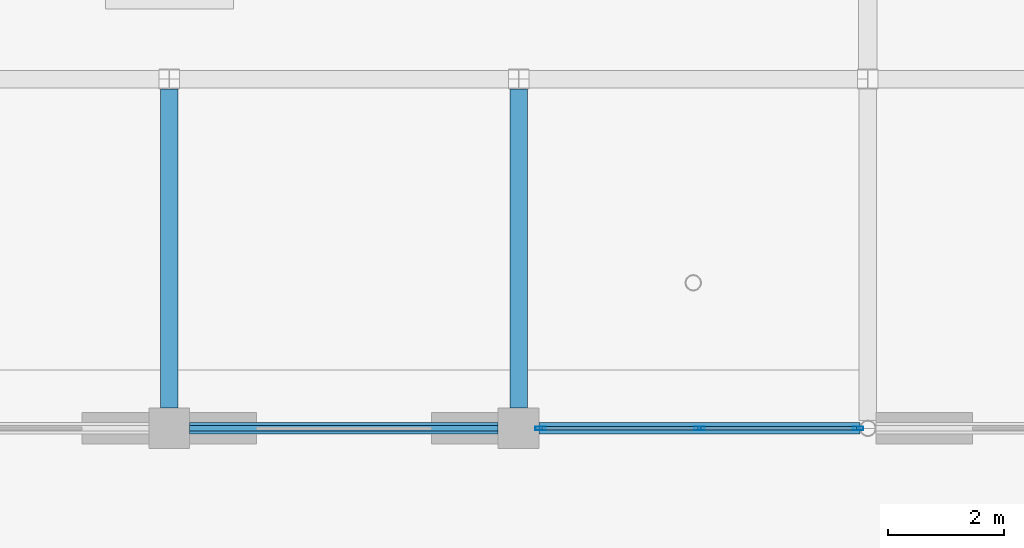
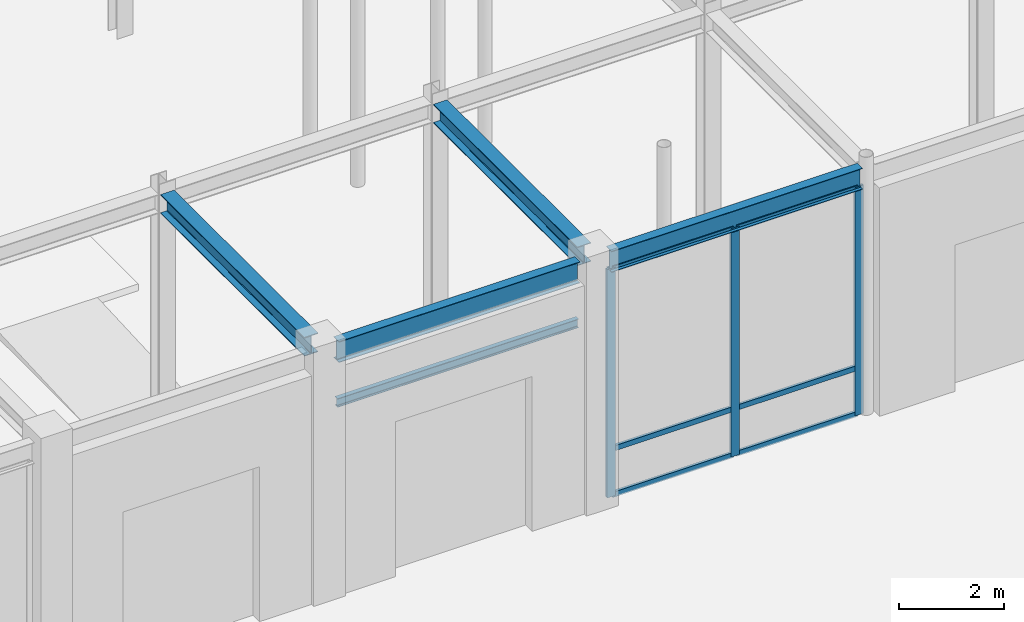
# One storey, part 31 of 51: 9 members, 5 beams, 1 element without a shape of its own.
"""IFC4 building model written with IfcOpenShell, lengths in metres."""

from ifc_helpers import new_model, si_unit, direction, frame, origin, origin_2d, place, context, subcontext, project, spatial, hollow_rectangle, i_section, extrude, material, layer, layer_set, material_profile, profile_set, type_object, element, aggregate, save


model = new_model("IFC4")

# Units and contexts
model_context = context("Model", 3, precision=1e-05, world=origin(), true_north=direction((0.0, 1.0)))
body_context = subcontext(model_context, "Body", "Model", "MODEL_VIEW")
ifc_project = project(units=[si_unit("LENGTHUNIT", "METRE"), si_unit("AREAUNIT", "SQUARE_METRE"), si_unit("VOLUMEUNIT", "CUBIC_METRE"), si_unit("PLANEANGLEUNIT", "RADIAN"), si_unit("MASSUNIT", "GRAM", prefix="KILO")], contexts=[model_context])

# Site, building, storey
site_placement = place(None, origin())
site = spatial("IfcSite", under=ifc_project, at=site_placement, CompositionType="ELEMENT")
building_placement = place(site_placement, origin())
building = spatial("IfcBuilding", under=site, at=building_placement, Name="Zlatovratsky Civic Hall", CompositionType="ELEMENT")
storey_placement = place(building_placement, origin())
storey = spatial("IfcBuildingStorey", under=building, at=storey_placement, Name="L01", CompositionType="ELEMENT", Elevation=0.0)

# Beams
ifc_material_1 = material(Name="Steel S355", Category="steel")
ifc_material_profile_1 = material_profile(ifc_material_1, i_section(OverallWidth=0.198974609375, OverallDepth=0.491943359375, WebThickness=0.0087890625, FlangeThickness=0.011962890625, FilletRadius=0.01611328125, at=origin_2d()), Name="50B1")
ifc_profile_set_1 = profile_set([ifc_material_profile_1], Name="Steel S355")
beam_type_1 = type_object("IfcBeamType", Name="Beam_Spandrel_50B1", PredefinedType="SPANDREL", material=ifc_profile_set_1)
beam_1_placement = place(storey_placement, frame((84.35009765625, 12.0, 5.513916015625), z_axis=(1.0, 0.0, 0.0), x_axis=(0.0, 1.0, 0.0)))
element("IfcBeam", 1, at=beam_1_placement, inside=storey, type_object=beam_type_1, Name="BM-0892", PredefinedType="SPANDREL", context=body_context, shape_type="SweptSolid", body=[
    extrude(i_section(OverallWidth=0.198974609375, OverallDepth=0.491943359375, WebThickness=0.0087890625, FlangeThickness=0.011962890625, FilletRadius=0.01611328125, at=origin_2d()), origin(), (0.0, 0.0, 1.0), 5.2998046875),
])
beam_2_placement = place(storey_placement, frame((90.35009765625, 12.0, 5.513916015625), z_axis=(1.0, 0.0, 0.0), x_axis=(0.0, 1.0, 0.0)))
element("IfcBeam", 2, at=beam_2_placement, inside=storey, type_object=beam_type_1, Name="BM-0893", PredefinedType="SPANDREL", context=body_context, shape_type="SweptSolid", body=[
    extrude(i_section(OverallWidth=0.198974609375, OverallDepth=0.491943359375, WebThickness=0.0087890625, FlangeThickness=0.011962890625, FilletRadius=0.01611328125, at=origin_2d()), origin(), (0.0, 0.0, 1.0), 5.513427734375),
])
ifc_material_profile_2 = material_profile(ifc_material_1, i_section(OverallWidth=0.300048828125, OverallDepth=0.43994140625, WebThickness=0.010986328125, FlangeThickness=0.01806640625, FilletRadius=0.02197265625, at=origin_2d()), Name="45Sh1")
ifc_profile_set_2 = profile_set([ifc_material_profile_2], Name="Steel S355")
beam_type_2 = type_object("IfcBeamType", Name="Beam_TowerLow_45Sh1", PredefinedType="BEAM", material=ifc_profile_set_2)
for number, where, z_axis, x_axis, name in (
    (3, (84.0, 12.35009765625, 5.5400390625), (0.0, 1.0, 0.0), (-1.0, 0.0, 0.0), "BM-1428"),
    (4, (90.0, 12.35009765625, 5.5400390625), (0.0, 1.0, 0.0), (-1.0, 0.0, 0.0), "BM-1442"),
):
    element("IfcBeam", number, at=place(storey_placement, frame(where, z_axis=z_axis, x_axis=x_axis)), inside=storey, type_object=beam_type_2, Name=name, PredefinedType="BEAM", context=body_context, shape_type="SweptSolid", body=[
        extrude(i_section(OverallWidth=0.300048828125, OverallDepth=0.43994140625, WebThickness=0.010986328125, FlangeThickness=0.01806640625, FilletRadius=0.02197265625, at=origin_2d()), origin(), (0.0, 0.0, 1.0), 5.478515625),
    ])

# Curtain wall, members
ifc_material_2 = material(Name="Anodised bronze aluminium", Category="aluminium")
ifc_layer = layer(ifc_material_2, 0.159912109375)
ifc_layer_set = layer_set([ifc_layer], Name="Anodised bronze aluminium")
curtain_wall_type = type_object("IfcCurtainWallType", Name="CurtainWall_Bronze_5510x5310_01", PredefinedType="NOTDEFINED", material=ifc_layer_set)
curtain_wall_placement = place(storey_placement, origin())
curtain_wall = element("IfcCurtainWall", 5, at=curtain_wall_placement, inside=storey, type_object=curtain_wall_type, Name="CW-002", PredefinedType="NOTDEFINED")
ifc_material_profile_3 = material_profile(ifc_material_2, hollow_rectangle(XDim=0.06005859375, YDim=0.179931640625, WallThickness=0.00390625, at=origin_2d()), Name="ALU 60x180x4")
ifc_profile_set_3 = profile_set([ifc_material_profile_3], Name="Anodised bronze aluminium")
member_type_1 = type_object("IfcMemberType", Name="CW_Mullion_60x180", PredefinedType="MULLION", material=ifc_profile_set_3)
member_1_placement = place(storey_placement, frame((90.3798828125, 12.0, 0.0), z_axis=(0.0, 0.0, 1.0), x_axis=(0.0, 1.0, 0.0)))
member_1 = element("IfcMember", 6, at=member_1_placement, type_object=member_type_1, Name="CW-01 mullion 1", PredefinedType="MULLION", context=body_context, shape_type="SweptSolid", body=[
    extrude(hollow_rectangle(XDim=0.06005859375, YDim=0.179931640625, WallThickness=0.00390625, at=origin_2d()), origin(), (0.0, 0.0, 1.0), 5.31005859375),
])
member_2_placement = place(storey_placement, frame((93.106689453125, 12.0, 0.0), z_axis=(0.0, 0.0, 1.0), x_axis=(0.0, 1.0, 0.0)))
member_2 = element("IfcMember", 7, at=member_2_placement, type_object=member_type_1, Name="CW-01 mullion 2", PredefinedType="MULLION", context=body_context, shape_type="SweptSolid", body=[
    extrude(hollow_rectangle(XDim=0.06005859375, YDim=0.179931640625, WallThickness=0.00390625, at=origin_2d()), origin(), (0.0, 0.0, 1.0), 5.31005859375),
])
member_3_placement = place(storey_placement, frame((95.83349609375, 12.0, 0.0), z_axis=(0.0, 0.0, 1.0), x_axis=(0.0, 1.0, 0.0)))
member_3 = element("IfcMember", 8, at=member_3_placement, type_object=member_type_1, Name="CW-01 mullion 3", PredefinedType="MULLION", context=body_context, shape_type="SweptSolid", body=[
    extrude(hollow_rectangle(XDim=0.06005859375, YDim=0.179931640625, WallThickness=0.00390625, at=origin_2d()), origin(), (0.0, 0.0, 1.0), 5.31005859375),
])
ifc_material_profile_4 = material_profile(ifc_material_2, hollow_rectangle(XDim=0.06005859375, YDim=0.1201171875, WallThickness=0.00390625, at=origin_2d()), Name="ALU 60x120x4")
ifc_profile_set_4 = profile_set([ifc_material_profile_4], Name="Anodised bronze aluminium")
member_type_2 = type_object("IfcMemberType", Name="CW_Transom_60x120", PredefinedType="USERDEFINED", material=ifc_profile_set_4)
member_4_placement = place(storey_placement, frame((90.409912109375, 12.0, 0.030029296875), z_axis=(1.0, 0.0, 0.0), x_axis=(0.0, 1.0, 0.0)))
member_4 = element("IfcMember", 9, at=member_4_placement, type_object=member_type_2, Name="CW-01 transom 1.1", ObjectType="TRANSOM", PredefinedType="USERDEFINED", context=body_context, shape_type="SweptSolid", body=[
    extrude(hollow_rectangle(XDim=0.06005859375, YDim=0.1201171875, WallThickness=0.00390625, at=origin_2d()), origin(), (0.0, 0.0, 1.0), 2.666748046875),
])
member_5_placement = place(storey_placement, frame((90.409912109375, 12.0, 1.10009765625), z_axis=(1.0, 0.0, 0.0), x_axis=(0.0, 1.0, 0.0)))
member_5 = element("IfcMember", 10, at=member_5_placement, type_object=member_type_2, Name="CW-01 transom 1.2", ObjectType="TRANSOM", PredefinedType="USERDEFINED", context=body_context, shape_type="SweptSolid", body=[
    extrude(hollow_rectangle(XDim=0.06005859375, YDim=0.1201171875, WallThickness=0.00390625, at=origin_2d()), origin(), (0.0, 0.0, 1.0), 2.666748046875),
])
member_6_placement = place(storey_placement, frame((90.409912109375, 12.0, 5.280029296875), z_axis=(1.0, 0.0, 0.0), x_axis=(0.0, 1.0, 0.0)))
member_6 = element("IfcMember", 11, at=member_6_placement, type_object=member_type_2, Name="CW-01 transom 1.3", ObjectType="TRANSOM", PredefinedType="USERDEFINED", context=body_context, shape_type="SweptSolid", body=[
    extrude(hollow_rectangle(XDim=0.06005859375, YDim=0.1201171875, WallThickness=0.00390625, at=origin_2d()), origin(), (0.0, 0.0, 1.0), 2.666748046875),
])
member_7_placement = place(storey_placement, frame((93.13671875, 12.0, 0.030029296875), z_axis=(1.0, 0.0, 0.0), x_axis=(0.0, 1.0, 0.0)))
member_7 = element("IfcMember", 12, at=member_7_placement, type_object=member_type_2, Name="CW-01 transom 2.1", ObjectType="TRANSOM", PredefinedType="USERDEFINED", context=body_context, shape_type="SweptSolid", body=[
    extrude(hollow_rectangle(XDim=0.06005859375, YDim=0.1201171875, WallThickness=0.00390625, at=origin_2d()), origin(), (0.0, 0.0, 1.0), 2.666748046875),
])
member_8_placement = place(storey_placement, frame((93.13671875, 12.0, 1.10009765625), z_axis=(1.0, 0.0, 0.0), x_axis=(0.0, 1.0, 0.0)))
member_8 = element("IfcMember", 13, at=member_8_placement, type_object=member_type_2, Name="CW-01 transom 2.2", ObjectType="TRANSOM", PredefinedType="USERDEFINED", context=body_context, shape_type="SweptSolid", body=[
    extrude(hollow_rectangle(XDim=0.06005859375, YDim=0.1201171875, WallThickness=0.00390625, at=origin_2d()), origin(), (0.0, 0.0, 1.0), 2.666748046875),
])
member_9_placement = place(storey_placement, frame((93.13671875, 12.0, 5.280029296875), z_axis=(1.0, 0.0, 0.0), x_axis=(0.0, 1.0, 0.0)))
member_9 = element("IfcMember", 14, at=member_9_placement, type_object=member_type_2, Name="CW-01 transom 2.3", ObjectType="TRANSOM", PredefinedType="USERDEFINED", context=body_context, shape_type="SweptSolid", body=[
    extrude(hollow_rectangle(XDim=0.06005859375, YDim=0.1201171875, WallThickness=0.00390625, at=origin_2d()), origin(), (0.0, 0.0, 1.0), 2.666748046875),
])
aggregate(curtain_wall, [member_1, member_2, member_3, member_4, member_5, member_6, member_7, member_8, member_9])

# Beam
ifc_material_profile_5 = material_profile(ifc_material_1, i_section(OverallWidth=0.10009765625, OverallDepth=0.199951171875, WebThickness=0.005615234375, FlangeThickness=0.008544921875, FilletRadius=0.011962890625, at=origin_2d()), Name="20B1")
ifc_profile_set_5 = profile_set([ifc_material_profile_5], Name="Steel S355")
beam_type_3 = type_object("IfcBeamType", Name="Lintel_Arcade_20B1", PredefinedType="LINTEL", material=ifc_profile_set_5)
beam_3_placement = place(storey_placement, frame((84.35009765625, 12.0, 4.300048828125), z_axis=(1.0, 0.0, 0.0), x_axis=(0.0, 1.0, 0.0)))
element("IfcBeam", 15, at=beam_3_placement, inside=storey, type_object=beam_type_3, Name="BM-5397", PredefinedType="LINTEL", context=body_context, shape_type="SweptSolid", body=[
    extrude(i_section(OverallWidth=0.10009765625, OverallDepth=0.199951171875, WebThickness=0.005615234375, FlangeThickness=0.008544921875, FilletRadius=0.011962890625, at=origin_2d()), origin(), (0.0, 0.0, 1.0), 5.2998046875),
])

save(model, "model.ifc")
